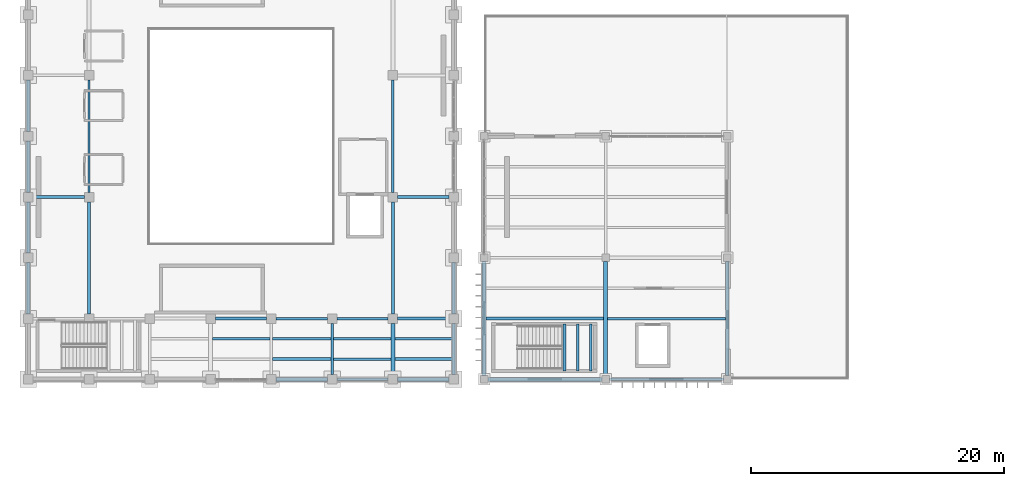
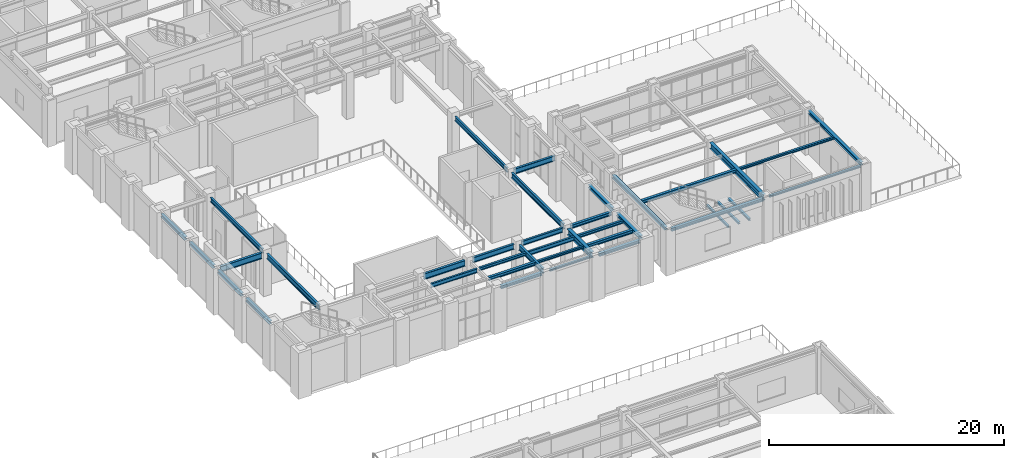
# One storey, part 8 of 83: 38 beams.
"""IFC4 building model written with IfcOpenShell, lengths in metres."""

from ifc_helpers import new_model, si_unit, direction, frame, origin, origin_2d, place, context, subcontext, project, spatial, i_section, extrude, material, material_profile, profile_set, type_object, element, save


model = new_model("IFC4")

# Units and contexts
model_context = context("Model", 3, precision=1e-05, world=origin(), true_north=direction((0.0, 1.0)))
body_context = subcontext(model_context, "Body", "Model", "MODEL_VIEW")
ifc_project = project(units=[si_unit("LENGTHUNIT", "METRE"), si_unit("AREAUNIT", "SQUARE_METRE"), si_unit("VOLUMEUNIT", "CUBIC_METRE"), si_unit("PLANEANGLEUNIT", "RADIAN"), si_unit("MASSUNIT", "GRAM", prefix="KILO")], contexts=[model_context])

# Site, building, storey
site_placement = place(None, origin())
site = spatial("IfcSite", under=ifc_project, at=site_placement, CompositionType="ELEMENT")
building_placement = place(site_placement, origin())
building = spatial("IfcBuilding", under=site, at=building_placement, Name="Mavantir Sound Aquarium", CompositionType="ELEMENT")
storey_placement = place(building_placement, frame((0.0, 0.0, 10.5)))
storey = spatial("IfcBuildingStorey", under=building, at=storey_placement, Name="L02", CompositionType="ELEMENT", Elevation=10.5)

# Beams
ifc_material = material(Name="Structural Steel ASTM A992 Gr50", Category="steel")
ifc_material_profile_1 = material_profile(ifc_material, i_section(OverallWidth=0.202880859375, OverallDepth=0.202880859375, WebThickness=0.007080078125, FlangeThickness=0.010986328125, FilletRadius=0.010009765625, at=origin_2d()), Name="W200X46")
ifc_profile_set_1 = profile_set([ifc_material_profile_1], Name="Structural Steel ASTM A992 Gr50")
beam_type_1 = type_object("IfcBeamType", Name="BM-W200X46-E", PredefinedType="LINTEL", material=ifc_profile_set_1)
beam_1_placement = place(storey_placement, frame((24.375, 40.800048828125, 4.29443359375), z_axis=(1.0, 0.0, 0.0), x_axis=(0.0, 1.0, 0.0)))
element("IfcBeam", 1, at=beam_1_placement, inside=storey, type_object=beam_type_1, Name="L02 primary beam SL-20 1424", PredefinedType="LINTEL", context=body_context, shape_type="SweptSolid", body=[
    extrude(i_section(OverallWidth=0.202880859375, OverallDepth=0.202880859375, WebThickness=0.007080078125, FlangeThickness=0.010986328125, FilletRadius=0.010009765625, at=origin_2d()), origin(), (0.0, 0.0, 1.0), 4.050048828125),
])
beam_2_placement = place(storey_placement, frame((45.89990234375, 40.800048828125, 4.41455078125), z_axis=(1.0, 0.0, 0.0), x_axis=(0.0, 1.0, 0.0)))
element("IfcBeam", 2, at=beam_2_placement, inside=storey, type_object=beam_type_1, Name="L02 primary beam SL-20 1482", PredefinedType="LINTEL", context=body_context, shape_type="SweptSolid", body=[
    extrude(i_section(OverallWidth=0.202880859375, OverallDepth=0.202880859375, WebThickness=0.007080078125, FlangeThickness=0.010986328125, FilletRadius=0.010009765625, at=origin_2d()), origin(), (0.0, 0.0, 1.0), 9.0),
])
ifc_material_profile_2 = material_profile(ifc_material, i_section(OverallWidth=0.202880859375, OverallDepth=0.202880859375, WebThickness=0.007080078125, FlangeThickness=0.010986328125, FilletRadius=0.010009765625, at=origin_2d()), Name="W200X46")
ifc_profile_set_2 = profile_set([ifc_material_profile_2], Name="Structural Steel ASTM A992 Gr50")
beam_type_2 = type_object("IfcBeamType", Name="BM-W200X46-I", PredefinedType="LINTEL", material=ifc_profile_set_2)
for number, where, z_axis, x_axis, name in (
    (3, (42.35009765625, 41.47509765625, 2.095458984375), (0.0, 1.0, 0.0), (-1.0, 0.0, 0.0), "Stair ST8 landing support beam 151"),
    (4, (43.389892578125, 41.47509765625, 2.095458984375), (0.0, 1.0, 0.0), (-1.0, 0.0, 0.0), "Stair ST8 landing support beam 152"),
    (5, (44.429931640625, 41.47509765625, 2.095458984375), (0.0, 1.0, 0.0), (-1.0, 0.0, 0.0), "Stair ST8 landing support beam 153"),
):
    element("IfcBeam", number, at=place(storey_placement, frame(where, z_axis=z_axis, x_axis=x_axis)), inside=storey, type_object=beam_type_2, Name=name, PredefinedType="LINTEL", context=body_context, shape_type="SweptSolid", body=[
        extrude(i_section(OverallWidth=0.202880859375, OverallDepth=0.202880859375, WebThickness=0.007080078125, FlangeThickness=0.010986328125, FilletRadius=0.010009765625, at=origin_2d()), origin(), (0.0, 0.0, 1.0), 3.699951171875),
    ])
ifc_material_profile_3 = material_profile(ifc_material, i_section(OverallWidth=0.202880859375, OverallDepth=0.251953125, WebThickness=0.008056640625, FlangeThickness=0.013427734375, FilletRadius=0.011962890625, at=origin_2d()), Name="W250X58")
ifc_profile_set_3 = profile_set([ifc_material_profile_3], Name="Structural Steel ASTM A992 Gr50")
beam_type_3 = type_object("IfcBeamType", Name="BM-W250X58-I", PredefinedType="JOIST", material=ifc_profile_set_3)
beam_3_placement = place(storey_placement, frame((24.10595703125, 42.39990234375, 4.27001953125), z_axis=(1.0, 0.0, 0.0), x_axis=(0.0, 1.0, 0.0)))
element("IfcBeam", 6, at=beam_3_placement, inside=storey, type_object=beam_type_3, Name="L02 secondary floor joist SJ-25 852", PredefinedType="JOIST", context=body_context, shape_type="SweptSolid", body=[
    extrude(i_section(OverallWidth=0.202880859375, OverallDepth=0.251953125, WebThickness=0.008056640625, FlangeThickness=0.013427734375, FilletRadius=0.011962890625, at=origin_2d()), origin(), (0.0, 0.0, 1.0), 4.531982421875),
])
beam_4_placement = place(storey_placement, frame((45.761962890625, 45.60009765625, 4.389892578125), z_axis=(1.0, 0.0, 0.0), x_axis=(0.0, 1.0, 0.0)))
element("IfcBeam", 7, at=beam_4_placement, inside=storey, type_object=beam_type_3, Name="L02 secondary floor joist SJ-25 868", PredefinedType="JOIST", context=body_context, shape_type="SweptSolid", body=[
    extrude(i_section(OverallWidth=0.202880859375, OverallDepth=0.251953125, WebThickness=0.008056640625, FlangeThickness=0.013427734375, FilletRadius=0.011962890625, at=origin_2d()), origin(), (0.0, 0.0, 1.0), 9.28564453125),
])
ifc_material_profile_4 = material_profile(ifc_material, i_section(OverallWidth=0.205078125, OverallDepth=0.31005859375, WebThickness=0.009521484375, FlangeThickness=0.016357421875, FilletRadius=0.012939453125, at=origin_2d()), Name="W310X74")
ifc_profile_set_4 = profile_set([ifc_material_profile_4], Name="Structural Steel ASTM A992 Gr50")
beam_type_4 = type_object("IfcBeamType", Name="BM-W310X74-I", PredefinedType="JOIST", material=ifc_profile_set_4)
beam_5_placement = place(storey_placement, frame((19.297119140625, 44.0, 4.240966796875), z_axis=(1.0, 0.0, 0.0), x_axis=(0.0, 1.0, 0.0)))
element("IfcBeam", 8, at=beam_5_placement, inside=storey, type_object=beam_type_4, Name="L02 secondary floor joist SJ-31 851", PredefinedType="JOIST", context=body_context, shape_type="SweptSolid", body=[
    extrude(i_section(OverallWidth=0.205078125, OverallDepth=0.31005859375, WebThickness=0.009521484375, FlangeThickness=0.016357421875, FilletRadius=0.012939453125, at=origin_2d()), origin(), (0.0, 0.0, 1.0), 4.596923828125),
])
beam_6_placement = place(storey_placement, frame((28.9619140625, 44.0, 4.240966796875), z_axis=(1.0, 0.0, 0.0), x_axis=(0.0, 1.0, 0.0)))
element("IfcBeam", 9, at=beam_6_placement, inside=storey, type_object=beam_type_4, Name="L02 secondary floor joist SJ-31 855", PredefinedType="JOIST", context=body_context, shape_type="SweptSolid", body=[
    extrude(i_section(OverallWidth=0.205078125, OverallDepth=0.31005859375, WebThickness=0.009521484375, FlangeThickness=0.016357421875, FilletRadius=0.012939453125, at=origin_2d()), origin(), (0.0, 0.0, 1.0), 4.485595703125),
])
ifc_material_profile_5 = material_profile(ifc_material, i_section(OverallWidth=0.304931640625, OverallDepth=0.30810546875, WebThickness=0.010009765625, FlangeThickness=0.015380859375, FilletRadius=0.014892578125, at=origin_2d()), Name="W310X97")
ifc_profile_set_5 = profile_set([ifc_material_profile_5], Name="Structural Steel ASTM A992 Gr50")
beam_type_5 = type_object("IfcBeamType", Name="BM-W310X97-E", PredefinedType="SPANDREL", material=ifc_profile_set_5)
for number, where, z_axis, x_axis, name in (
    (10, (19.574951171875, 40.800048828125, 4.241943359375), (1.0, 0.0, 0.0), (0.0, 1.0, 0.0), "L02 primary beam SS-31A 1423"),
    (11, (29.175048828125, 40.800048828125, 4.241943359375), (1.0, 0.0, 0.0), (0.0, 1.0, 0.0), "L02 primary beam SS-31A 1425"),
):
    element("IfcBeam", number, at=place(storey_placement, frame(where, z_axis=z_axis, x_axis=x_axis)), inside=storey, type_object=beam_type_5, Name=name, PredefinedType="SPANDREL", context=body_context, shape_type="SweptSolid", body=[
        extrude(i_section(OverallWidth=0.304931640625, OverallDepth=0.30810546875, WebThickness=0.010009765625, FlangeThickness=0.015380859375, FilletRadius=0.014892578125, at=origin_2d()), origin(), (0.0, 0.0, 1.0), 4.050048828125),
    ])
beam_7_placement = place(storey_placement, frame((0.0, 45.97509765625, 4.241943359375), z_axis=(0.0, 1.0, 0.0), x_axis=(-1.0, 0.0, 0.0)))
element("IfcBeam", 12, at=beam_7_placement, inside=storey, type_object=beam_type_5, Name="L02 primary girder SS-31A 1450", PredefinedType="SPANDREL", context=body_context, shape_type="SweptSolid", body=[
    extrude(i_section(OverallWidth=0.304931640625, OverallDepth=0.30810546875, WebThickness=0.010009765625, FlangeThickness=0.015380859375, FilletRadius=0.014892578125, at=origin_2d()), origin(), (0.0, 0.0, 1.0), 4.0498046875),
])
for number, where, z_axis, x_axis, name in (
    (13, (0.0, 50.77490234375, 4.241943359375), (0.0, 1.0, 0.0), (-1.0, 0.0, 0.0), "L02 primary girder SS-31A 1451"),
    (14, (0.0, 55.574951171875, 4.241943359375), (0.0, 1.0, 0.0), (-1.0, 0.0, 0.0), "L02 primary girder SS-31A 1452"),
    (15, (0.0, 60.375, 4.241943359375), (0.0, 1.0, 0.0), (-1.0, 0.0, 0.0), "L02 primary girder SS-31A 1453"),
    (16, (33.60009765625, 41.175048828125, 4.241943359375), (0.0, 1.0, 0.0), (-1.0, 0.0, 0.0), "L02 primary girder SS-31A 1473"),
):
    element("IfcBeam", number, at=place(storey_placement, frame(where, z_axis=z_axis, x_axis=x_axis)), inside=storey, type_object=beam_type_5, Name=name, PredefinedType="SPANDREL", context=body_context, shape_type="SweptSolid", body=[
        extrude(i_section(OverallWidth=0.304931640625, OverallDepth=0.30810546875, WebThickness=0.010009765625, FlangeThickness=0.015380859375, FilletRadius=0.014892578125, at=origin_2d()), origin(), (0.0, 0.0, 1.0), 4.050048828125),
    ])
beam_8_placement = place(storey_placement, frame((33.60009765625, 45.97509765625, 4.241943359375), z_axis=(0.0, 1.0, 0.0), x_axis=(-1.0, 0.0, 0.0)))
element("IfcBeam", 17, at=beam_8_placement, inside=storey, type_object=beam_type_5, Name="L02 primary girder SS-31A 1474", PredefinedType="SPANDREL", context=body_context, shape_type="SweptSolid", body=[
    extrude(i_section(OverallWidth=0.304931640625, OverallDepth=0.30810546875, WebThickness=0.010009765625, FlangeThickness=0.015380859375, FilletRadius=0.014892578125, at=origin_2d()), origin(), (0.0, 0.0, 1.0), 4.0498046875),
])
for number, where, z_axis, x_axis, name in (
    (18, (36.300048828125, 40.800048828125, 4.362060546875), (1.0, 0.0, 0.0), (0.0, 1.0, 0.0), "L02 primary beam SS-31A 1481"),
    (19, (36.0, 41.10009765625, 4.362060546875), (0.0, 1.0, 0.0), (-1.0, 0.0, 0.0), "L02 primary girder SS-31A 1487"),
    (20, (55.199951171875, 41.10009765625, 4.362060546875), (0.0, 1.0, 0.0), (-1.0, 0.0, 0.0), "L02 primary girder SS-31A 1491"),
):
    element("IfcBeam", number, at=place(storey_placement, frame(where, z_axis=z_axis, x_axis=x_axis)), inside=storey, type_object=beam_type_5, Name=name, PredefinedType="SPANDREL", context=body_context, shape_type="SweptSolid", body=[
        extrude(i_section(OverallWidth=0.304931640625, OverallDepth=0.30810546875, WebThickness=0.010009765625, FlangeThickness=0.015380859375, FilletRadius=0.014892578125, at=origin_2d()), origin(), (0.0, 0.0, 1.0), 9.0),
    ])
ifc_material_profile_6 = material_profile(ifc_material, i_section(OverallWidth=0.257080078125, OverallDepth=0.363037109375, WebThickness=0.012939453125, FlangeThickness=0.021728515625, FilletRadius=0.014892578125, at=origin_2d()), Name="W360X122")
ifc_profile_set_6 = profile_set([ifc_material_profile_6], Name="Structural Steel ASTM A992 Gr50")
beam_type_6 = type_object("IfcBeamType", Name="BM-W360X122-I", PredefinedType="BEAM", material=ifc_profile_set_6)
beam_9_placement = place(storey_placement, frame((29.175048828125, 45.60009765625, 4.214599609375), z_axis=(1.0, 0.0, 0.0), x_axis=(0.0, 1.0, 0.0)))
element("IfcBeam", 21, at=beam_9_placement, inside=storey, type_object=beam_type_6, Name="L02 primary beam SB-36A 1432", PredefinedType="BEAM", context=body_context, shape_type="SweptSolid", body=[
    extrude(i_section(OverallWidth=0.257080078125, OverallDepth=0.363037109375, WebThickness=0.012939453125, FlangeThickness=0.021728515625, FilletRadius=0.014892578125, at=origin_2d()), origin(), (0.0, 0.0, 1.0), 4.050048828125),
])
ifc_material_profile_7 = material_profile(ifc_material, i_section(OverallWidth=0.25390625, OverallDepth=0.35302734375, WebThickness=0.009521484375, FlangeThickness=0.016357421875, FilletRadius=0.014892578125, at=origin_2d()), Name="W360X91")
ifc_profile_set_7 = profile_set([ifc_material_profile_7], Name="Structural Steel ASTM A992 Gr50")
beam_type_7 = type_object("IfcBeamType", Name="BM-W360X91-I", PredefinedType="JOIST", material=ifc_profile_set_7)
beam_10_placement = place(storey_placement, frame((19.297119140625, 42.39990234375, 4.219482421875), z_axis=(1.0, 0.0, 0.0), x_axis=(0.0, 1.0, 0.0)))
element("IfcBeam", 22, at=beam_10_placement, inside=storey, type_object=beam_type_7, Name="L02 secondary floor joist SJ-36 850", PredefinedType="JOIST", context=body_context, shape_type="SweptSolid", body=[
    extrude(i_section(OverallWidth=0.25390625, OverallDepth=0.35302734375, WebThickness=0.009521484375, FlangeThickness=0.016357421875, FilletRadius=0.014892578125, at=origin_2d()), origin(), (0.0, 0.0, 1.0), 4.596923828125),
])
beam_11_placement = place(storey_placement, frame((28.9619140625, 42.39990234375, 4.219482421875), z_axis=(1.0, 0.0, 0.0), x_axis=(0.0, 1.0, 0.0)))
element("IfcBeam", 23, at=beam_11_placement, inside=storey, type_object=beam_type_7, Name="L02 secondary floor joist SJ-36 854", PredefinedType="JOIST", context=body_context, shape_type="SweptSolid", body=[
    extrude(i_section(OverallWidth=0.25390625, OverallDepth=0.35302734375, WebThickness=0.009521484375, FlangeThickness=0.016357421875, FilletRadius=0.014892578125, at=origin_2d()), origin(), (0.0, 0.0, 1.0), 4.485595703125),
])
beam_12_placement = place(storey_placement, frame((36.152587890625, 45.60009765625, 4.339599609375), z_axis=(1.0, 0.0, 0.0), x_axis=(0.0, 1.0, 0.0)))
element("IfcBeam", 24, at=beam_12_placement, inside=storey, type_object=beam_type_7, Name="L02 secondary floor joist SJ-36 866", PredefinedType="JOIST", context=body_context, shape_type="SweptSolid", body=[
    extrude(i_section(OverallWidth=0.25390625, OverallDepth=0.35302734375, WebThickness=0.009521484375, FlangeThickness=0.016357421875, FilletRadius=0.014892578125, at=origin_2d()), origin(), (0.0, 0.0, 1.0), 9.285400390625),
])
ifc_material_profile_8 = material_profile(ifc_material, i_section(OverallWidth=0.180908203125, OverallDepth=0.4169921875, WebThickness=0.010986328125, FlangeThickness=0.018310546875, FilletRadius=0.014892578125, at=origin_2d()), Name="W410X85")
ifc_profile_set_8 = profile_set([ifc_material_profile_8], Name="Structural Steel ASTM A992 Gr50")
beam_type_8 = type_object("IfcBeamType", Name="BM-W410X85-I", PredefinedType="JOIST", material=ifc_profile_set_8)
beam_13_placement = place(storey_placement, frame((14.56201171875, 44.0, 4.1875), z_axis=(1.0, 0.0, 0.0), x_axis=(0.0, 1.0, 0.0)))
element("IfcBeam", 25, at=beam_13_placement, inside=storey, type_object=beam_type_8, Name="L02 secondary floor joist SJ-41 849", PredefinedType="JOIST", context=body_context, shape_type="SweptSolid", body=[
    extrude(i_section(OverallWidth=0.180908203125, OverallDepth=0.4169921875, WebThickness=0.010986328125, FlangeThickness=0.018310546875, FilletRadius=0.014892578125, at=origin_2d()), origin(), (0.0, 0.0, 1.0), 4.541015625),
])
beam_14_placement = place(storey_placement, frame((24.10595703125, 44.0, 4.1875), z_axis=(1.0, 0.0, 0.0), x_axis=(0.0, 1.0, 0.0)))
element("IfcBeam", 26, at=beam_14_placement, inside=storey, type_object=beam_type_8, Name="L02 secondary floor joist SJ-41 853", PredefinedType="JOIST", context=body_context, shape_type="SweptSolid", body=[
    extrude(i_section(OverallWidth=0.180908203125, OverallDepth=0.4169921875, WebThickness=0.010986328125, FlangeThickness=0.018310546875, FilletRadius=0.014892578125, at=origin_2d()), origin(), (0.0, 0.0, 1.0), 4.531982421875),
])
ifc_material_profile_9 = material_profile(ifc_material, i_section(OverallWidth=0.194091796875, OverallDepth=0.468994140625, WebThickness=0.0126953125, FlangeThickness=0.0205078125, FilletRadius=0.01611328125, at=origin_2d()), Name="W460X106")
ifc_profile_set_9 = profile_set([ifc_material_profile_9], Name="Structural Steel ASTM A992 Gr50")
beam_type_9 = type_object("IfcBeamType", Name="BM-W460X106-I", PredefinedType="BEAM", material=ifc_profile_set_9)
beam_15_placement = place(storey_placement, frame((24.375, 45.60009765625, 4.16162109375), z_axis=(1.0, 0.0, 0.0), x_axis=(0.0, 1.0, 0.0)))
element("IfcBeam", 27, at=beam_15_placement, inside=storey, type_object=beam_type_9, Name="L02 primary beam SB-46 1431", PredefinedType="BEAM", context=body_context, shape_type="SweptSolid", body=[
    extrude(i_section(OverallWidth=0.194091796875, OverallDepth=0.468994140625, WebThickness=0.0126953125, FlangeThickness=0.0205078125, FilletRadius=0.01611328125, at=origin_2d()), origin(), (0.0, 0.0, 1.0), 4.050048828125),
])
for number, where, z_axis, x_axis, name in (
    (28, (4.800048828125, 55.574951171875, 4.16162109375), (0.0, 1.0, 0.0), (-1.0, 0.0, 0.0), "L02 primary girder SB-46 1458"),
    (29, (28.800048828125, 55.574951171875, 4.16162109375), (0.0, 1.0, 0.0), (-1.0, 0.0, 0.0), "L02 primary girder SB-46 1470"),
):
    element("IfcBeam", number, at=place(storey_placement, frame(where, z_axis=z_axis, x_axis=x_axis)), inside=storey, type_object=beam_type_9, Name=name, PredefinedType="BEAM", context=body_context, shape_type="SweptSolid", body=[
        extrude(i_section(OverallWidth=0.194091796875, OverallDepth=0.468994140625, WebThickness=0.0126953125, FlangeThickness=0.0205078125, FilletRadius=0.01611328125, at=origin_2d()), origin(), (0.0, 0.0, 1.0), 8.85009765625),
    ])
ifc_material_profile_10 = material_profile(ifc_material, i_section(OverallWidth=0.2119140625, OverallDepth=0.5439453125, WebThickness=0.01318359375, FlangeThickness=0.021240234375, FilletRadius=0.01806640625, at=origin_2d()), Name="W530X123")
ifc_profile_set_10 = profile_set([ifc_material_profile_10], Name="Structural Steel ASTM A992 Gr50")
beam_type_10 = type_object("IfcBeamType", Name="BM-W530X123-I", PredefinedType="BEAM", material=ifc_profile_set_10)
for number, where, z_axis, x_axis, name in (
    (30, (19.574951171875, 45.60009765625, 4.1240234375), (1.0, 0.0, 0.0), (0.0, 1.0, 0.0), "L02 primary beam SB-53 1430"),
    (31, (29.175048828125, 55.199951171875, 4.1240234375), (1.0, 0.0, 0.0), (0.0, 1.0, 0.0), "L02 primary beam SB-53 1434"),
):
    element("IfcBeam", number, at=place(storey_placement, frame(where, z_axis=z_axis, x_axis=x_axis)), inside=storey, type_object=beam_type_10, Name=name, PredefinedType="BEAM", context=body_context, shape_type="SweptSolid", body=[
        extrude(i_section(OverallWidth=0.2119140625, OverallDepth=0.5439453125, WebThickness=0.01318359375, FlangeThickness=0.021240234375, FilletRadius=0.01806640625, at=origin_2d()), origin(), (0.0, 0.0, 1.0), 4.050048828125),
    ])
beam_16_placement = place(storey_placement, frame((4.800048828125, 45.97509765625, 4.1240234375), z_axis=(0.0, 1.0, 0.0), x_axis=(-1.0, 0.0, 0.0)))
element("IfcBeam", 32, at=beam_16_placement, inside=storey, type_object=beam_type_10, Name="L02 primary girder SB-53 1457", PredefinedType="BEAM", context=body_context, shape_type="SweptSolid", body=[
    extrude(i_section(OverallWidth=0.2119140625, OverallDepth=0.5439453125, WebThickness=0.01318359375, FlangeThickness=0.021240234375, FilletRadius=0.01806640625, at=origin_2d()), origin(), (0.0, 0.0, 1.0), 8.849853515625),
])
beam_17_placement = place(storey_placement, frame((24.0, 41.175048828125, 4.1240234375), z_axis=(0.0, 1.0, 0.0), x_axis=(-1.0, 0.0, 0.0)))
element("IfcBeam", 33, at=beam_17_placement, inside=storey, type_object=beam_type_10, Name="L02 primary girder SB-53 1466", PredefinedType="BEAM", context=body_context, shape_type="SweptSolid", body=[
    extrude(i_section(OverallWidth=0.2119140625, OverallDepth=0.5439453125, WebThickness=0.01318359375, FlangeThickness=0.021240234375, FilletRadius=0.01806640625, at=origin_2d()), origin(), (0.0, 0.0, 1.0), 4.050048828125),
])
beam_18_placement = place(storey_placement, frame((28.800048828125, 45.97509765625, 4.1240234375), z_axis=(0.0, 1.0, 0.0), x_axis=(-1.0, 0.0, 0.0)))
element("IfcBeam", 34, at=beam_18_placement, inside=storey, type_object=beam_type_10, Name="L02 primary girder SB-53 1469", PredefinedType="BEAM", context=body_context, shape_type="SweptSolid", body=[
    extrude(i_section(OverallWidth=0.2119140625, OverallDepth=0.5439453125, WebThickness=0.01318359375, FlangeThickness=0.021240234375, FilletRadius=0.01806640625, at=origin_2d()), origin(), (0.0, 0.0, 1.0), 8.849853515625),
])
ifc_material_profile_11 = material_profile(ifc_material, i_section(OverallWidth=0.22900390625, OverallDepth=0.612060546875, WebThickness=0.011962890625, FlangeThickness=0.01953125, FilletRadius=0.01904296875, at=origin_2d()), Name="W610X125")
ifc_profile_set_11 = profile_set([ifc_material_profile_11], Name="Structural Steel ASTM A992 Gr50")
beam_type_11 = type_object("IfcBeamType", Name="BM-W610X125-I", PredefinedType="BEAM", material=ifc_profile_set_11)
for number, where, z_axis, x_axis, name in (
    (35, (14.77490234375, 45.60009765625, 4.090087890625), (1.0, 0.0, 0.0), (0.0, 1.0, 0.0), "L02 primary beam SB-61B 1429"),
    (36, (0.375, 55.199951171875, 4.090087890625), (1.0, 0.0, 0.0), (0.0, 1.0, 0.0), "L02 primary beam SB-61B 1433"),
):
    element("IfcBeam", number, at=place(storey_placement, frame(where, z_axis=z_axis, x_axis=x_axis)), inside=storey, type_object=beam_type_11, Name=name, PredefinedType="BEAM", context=body_context, shape_type="SweptSolid", body=[
        extrude(i_section(OverallWidth=0.22900390625, OverallDepth=0.612060546875, WebThickness=0.011962890625, FlangeThickness=0.01953125, FilletRadius=0.01904296875, at=origin_2d()), origin(), (0.0, 0.0, 1.0), 4.050048828125),
    ])
ifc_material_profile_12 = material_profile(ifc_material, i_section(OverallWidth=0.323974609375, OverallDepth=0.611083984375, WebThickness=0.0126953125, FlangeThickness=0.01904296875, FilletRadius=0.01904296875, at=origin_2d()), Name="W610X155")
ifc_profile_set_12 = profile_set([ifc_material_profile_12], Name="Structural Steel ASTM A992 Gr50")
beam_type_12 = type_object("IfcBeamType", Name="BM-W610X155-I", PredefinedType="BEAM", material=ifc_profile_set_12)
beam_19_placement = place(storey_placement, frame((28.800048828125, 41.175048828125, 4.090576171875), z_axis=(0.0, 1.0, 0.0), x_axis=(-1.0, 0.0, 0.0)))
element("IfcBeam", 37, at=beam_19_placement, inside=storey, type_object=beam_type_12, Name="L02 primary girder SB-61A 1468", PredefinedType="BEAM", context=body_context, shape_type="SweptSolid", body=[
    extrude(i_section(OverallWidth=0.323974609375, OverallDepth=0.611083984375, WebThickness=0.0126953125, FlangeThickness=0.01904296875, FilletRadius=0.01904296875, at=origin_2d()), origin(), (0.0, 0.0, 1.0), 4.050048828125),
])
beam_20_placement = place(storey_placement, frame((45.60009765625, 41.10009765625, 4.21044921875), z_axis=(0.0, 1.0, 0.0), x_axis=(-1.0, 0.0, 0.0)))
element("IfcBeam", 38, at=beam_20_placement, inside=storey, type_object=beam_type_12, Name="L02 primary girder SB-61A 1489", PredefinedType="BEAM", context=body_context, shape_type="SweptSolid", body=[
    extrude(i_section(OverallWidth=0.323974609375, OverallDepth=0.611083984375, WebThickness=0.0126953125, FlangeThickness=0.01904296875, FilletRadius=0.01904296875, at=origin_2d()), origin(), (0.0, 0.0, 1.0), 9.0),
])

save(model, "model.ifc")
